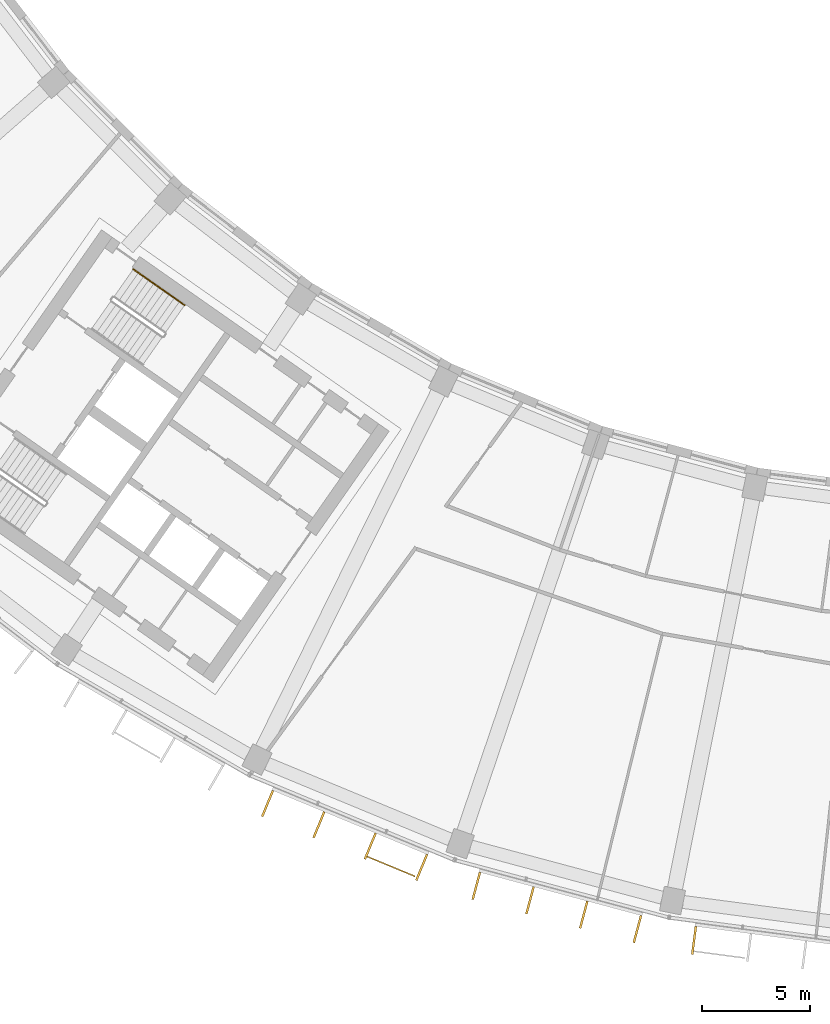
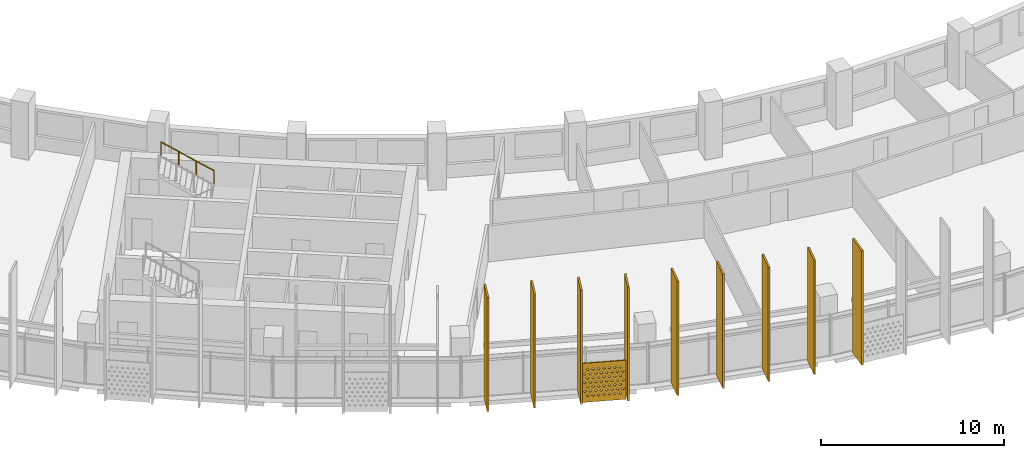
# One storey, part 24 of 28: 10 shading devices, 1 railing.
"""IFC4 building model written with IfcOpenShell, lengths in metres."""

import ifcopenshell
import ifcopenshell.guid

model = None  # the IFC model being written
_history = None  # IfcOwnerHistory: only IFC2X3 demands one
_inside = {}  # id of a spatial element -> (the spatial element, [elements in it])
_under = {}  # id of a project, library or spatial element -> (it, [spatial elements below it])
_declared = {}  # id of a project -> (the project, [libraries it declares])
_typed = {}  # id of a type object -> (the type object, [elements of that type])
_made_of = {}  # id of a material, layer set ... -> (it, [elements and type objects made of it])


def new_model(schema):
    """Start an empty IFC model of exactly this schema.

    Asked for "IFC4X3", IfcOpenShell would pick the latest addendum, in which some entities
    have other attributes; the version numbers below select the first issue.
    IFC2X3 requires an IfcOwnerHistory on every rooted entity: one is made here for all.
    """
    global model, _history
    if schema == "IFC4X3":
        model = ifcopenshell.file(schema_version=(4, 3, 0, 0))
    else:
        model = ifcopenshell.file(schema=schema)
    _inside.clear()
    _under.clear()
    _declared.clear()
    _typed.clear()
    _made_of.clear()
    _history = None
    if model.schema == "IFC2X3":
        org = make("IfcOrganization", Name="unknown")
        user = make(
            "IfcPersonAndOrganization",
            ThePerson=make("IfcPerson", FamilyName="unknown"),
            TheOrganization=org,
        )
        app = make(
            "IfcApplication",
            ApplicationDeveloper=org,
            Version="unknown",
            ApplicationFullName="unknown",
            ApplicationIdentifier="unknown",
        )
        _history = make(
            "IfcOwnerHistory",
            OwningUser=user,
            OwningApplication=app,
            ChangeAction="ADDED",
            CreationDate=0,
        )
    return model


def make(cls, **values):
    """One entity of the class cls with the attributes given. An attribute that is None is left unset."""
    return model.create_entity(
        cls, **{name: value for name, value in values.items() if value is not None}
    )


def rooted(cls, **values):
    """An entity with a GlobalId (a new one), such as an element, a storey or a relation."""
    return make(cls, GlobalId=ifcopenshell.guid.new(), OwnerHistory=_history, **values)


def si_unit(unit_type, name, prefix=None):
    """IfcSIUnit, for example si_unit("LENGTHUNIT", "METRE", prefix="MILLI")."""
    return make("IfcSIUnit", UnitType=unit_type, Prefix=prefix, Name=name)


def assignment(units):
    """IfcUnitAssignment: the units of a project."""
    return None if units is None else make("IfcUnitAssignment", Units=units)


def point(xyz):
    """IfcCartesianPoint."""
    return None if xyz is None else make("IfcCartesianPoint", Coordinates=xyz)


def direction(xyz):
    """IfcDirection."""
    return None if xyz is None else make("IfcDirection", DirectionRatios=xyz)


def frame(location, z_axis=None, x_axis=None):
    """IfcAxis2Placement3D, a coordinate frame: its origin and axes. An axis left out is left unset."""
    return make(
        "IfcAxis2Placement3D",
        Location=point(location),
        Axis=direction(z_axis),
        RefDirection=direction(x_axis),
    )


def frame_2d(location, x_axis=None):
    """IfcAxis2Placement2D, a coordinate frame in the plane: its origin and x axis."""
    return make(
        "IfcAxis2Placement2D", Location=point(location), RefDirection=direction(x_axis)
    )


def origin():
    """The frame at (0, 0, 0) with its axes left unset."""
    return frame((0.0, 0.0, 0.0))


def origin_2d():
    """The frame at (0, 0) in the plane with its x axis left unset."""
    return frame_2d((0.0, 0.0))


def place(relative_to, where):
    """IfcLocalPlacement: puts the frame where relative to a parent placement (None: the world)."""
    return make(
        "IfcLocalPlacement", PlacementRelTo=relative_to, RelativePlacement=where
    )


def context(
    kind, dimensions, precision=None, world=None, true_north=None, identifier=None
):
    """IfcGeometricRepresentationContext, for example the 3D "Model" context."""
    return make(
        "IfcGeometricRepresentationContext",
        ContextIdentifier=identifier,
        ContextType=kind,
        CoordinateSpaceDimension=dimensions,
        Precision=precision,
        WorldCoordinateSystem=world,
        TrueNorth=true_north,
    )


def subcontext(parent, identifier, kind, view, scale=None):
    """IfcGeometricRepresentationSubContext, for example "Body" below "Model"."""
    return make(
        "IfcGeometricRepresentationSubContext",
        ContextIdentifier=identifier,
        ContextType=kind,
        ParentContext=parent,
        TargetScale=scale,
        TargetView=view,
    )


def project(units=None, contexts=None):
    """IfcProject with its units and contexts."""
    return rooted(
        "IfcProject",
        Name="project",
        RepresentationContexts=contexts,
        UnitsInContext=assignment(units),
    )


def spatial(cls, under=None, at=None, **own):
    """A site, building, storey or space (cls), placed at a placement, below another one or the project."""
    s = rooted(cls, ObjectPlacement=at, **own)
    if under is not None:
        _under.setdefault(under.id(), (under, []))[1].append(s)
    return s


def polyline(points):
    """IfcPolyline through the points."""
    return make("IfcPolyline", Points=[point(p) for p in points])


def profile(cls, at=None, kind="AREA", **sizes):
    """A parametric profile (cls). Its sizes go by their IFC names, for example OverallWidth=200.0."""
    return make(cls, ProfileType=kind, Position=at, **sizes)


def rectangle(**sizes):
    """IfcRectangleProfileDef."""
    return profile("IfcRectangleProfileDef", **sizes)


def circle(**sizes):
    """IfcCircleProfileDef."""
    return profile("IfcCircleProfileDef", **sizes)


def outline(outer, holes=None, kind="AREA"):
    """IfcArbitraryClosedProfileDef: a profile drawn as a closed curve; with holes, ...WithVoids."""
    if holes is None:
        return make("IfcArbitraryClosedProfileDef", ProfileType=kind, OuterCurve=outer)
    return make(
        "IfcArbitraryProfileDefWithVoids",
        ProfileType=kind,
        OuterCurve=outer,
        InnerCurves=holes,
    )


def extrude(swept, where, along, depth):
    """IfcExtrudedAreaSolid: the profile swept, set in the frame where, extruded along a direction by depth."""
    return make(
        "IfcExtrudedAreaSolid",
        SweptArea=swept,
        Position=where,
        ExtrudedDirection=direction(along),
        Depth=depth,
    )


def shape(context_of_items, identifier, shape_type, items):
    """IfcShapeRepresentation: the items that make up one representation, for example the "Body"."""
    return make(
        "IfcShapeRepresentation",
        ContextOfItems=context_of_items,
        RepresentationIdentifier=identifier,
        RepresentationType=shape_type,
        Items=items,
    )


def material(Name=None, Category=None):
    """IfcMaterial."""
    return make("IfcMaterial", Name=Name, Category=Category)


def material_profile(
    of_material, cross_section, Name=None, Category=None, Priority=None
):
    """IfcMaterialProfile: a cross section and its material."""
    return make(
        "IfcMaterialProfile",
        Name=Name,
        Material=of_material,
        Profile=cross_section,
        Priority=Priority,
        Category=Category,
    )


def profile_set(profiles, Name=None, composite=None):
    """IfcMaterialProfileSet."""
    return make(
        "IfcMaterialProfileSet",
        Name=Name,
        MaterialProfiles=profiles,
        CompositeProfile=composite,
    )


def made_of(thing, what):
    """Note that an element or type object is made of a material, layer set ...; save() writes the relation."""
    if what is not None:
        _made_of.setdefault(what.id(), (what, []))[1].append(thing)
    return thing


def type_object(cls, material=None, **own):
    """A type object (cls), such as IfcWallType, which elements share."""
    return made_of(rooted(cls, **own), material)


def element(
    cls,
    number,
    at=None,
    inside=None,
    cuts=None,
    type_object=None,
    material=None,
    context=None,
    identifier="Body",
    shape_type=None,
    held_by="IfcProductDefinitionShape",
    body=None,
    shapes=None,
    **own,
):
    """One element of the class cls, such as IfcWall. Its Tag is "e" and its number.

    at: its placement. inside: the storey or other place that contains it. cuts: it is an
    opening in that element (IfcRelVoidsElement). A single representation is given by context,
    identifier, shape_type and body (its items); several are given by shapes. held_by: the class
    of the entity that holds the representations. save() writes the other relations.
    """
    e = rooted(cls, Tag="e%d" % number, ObjectPlacement=at, **own)
    if body is not None:
        shapes = [shape(context, identifier, shape_type, body)]
    if shapes is not None:
        e.Representation = make(held_by, Representations=shapes)
    if inside is not None:
        _inside.setdefault(inside.id(), (inside, []))[1].append(e)
    if cuts is not None:
        rooted(
            "IfcRelVoidsElement", RelatingBuildingElement=cuts, RelatedOpeningElement=e
        )
    if type_object is not None:
        _typed.setdefault(type_object.id(), (type_object, []))[1].append(e)
    return made_of(e, material)


def aggregate(whole, parts):
    """IfcRelAggregates: a whole, such as a stair, and the parts it consists of."""
    return rooted("IfcRelAggregates", RelatingObject=whole, RelatedObjects=parts)


def save(model, path):
    """Write the relations noted so far, then the file.

    IfcRelAggregates (storeys below a building ...), IfcRelContainedInSpatialStructure (elements
    in a storey), IfcRelDefinesByType, IfcRelAssociatesMaterial and IfcRelDeclares: one each for
    every whole, place, type object, material and project.
    """
    for whole, parts in _under.values():
        aggregate(whole, parts)
    for where, things in _inside.values():
        rooted(
            "IfcRelContainedInSpatialStructure",
            RelatedElements=things,
            RelatingStructure=where,
        )
    for kind, things in _typed.values():
        rooted("IfcRelDefinesByType", RelatedObjects=things, RelatingType=kind)
    for what, things in _made_of.values():
        rooted("IfcRelAssociatesMaterial", RelatedObjects=things, RelatingMaterial=what)
    for by, libraries in _declared.values():
        rooted("IfcRelDeclares", RelatingContext=by, RelatedDefinitions=libraries)
    model.write(path)


model = new_model("IFC4")

# Units and contexts
model_context = context("Model", 3, precision=1e-05, world=origin(), true_north=direction((0.0, 1.0)))
body_context = subcontext(model_context, "Body", "Model", "MODEL_VIEW")
ifc_project = project(units=[si_unit("LENGTHUNIT", "METRE"), si_unit("AREAUNIT", "SQUARE_METRE"), si_unit("VOLUMEUNIT", "CUBIC_METRE"), si_unit("PLANEANGLEUNIT", "RADIAN"), si_unit("MASSUNIT", "GRAM", prefix="KILO")], contexts=[model_context])

# Site, building, storey
site_placement = place(None, origin())
site = spatial("IfcSite", under=ifc_project, at=site_placement, CompositionType="ELEMENT")
building_placement = place(site_placement, origin())
building = spatial("IfcBuilding", under=site, at=building_placement, Name="Qamariyya Broadcast Tower", CompositionType="ELEMENT")
storey_placement = place(building_placement, frame((0.0, 0.0, 241.699951171875)))
storey = spatial("IfcBuildingStorey", under=building, at=storey_placement, Name="L58", CompositionType="ELEMENT", Elevation=241.699951171875)

# Shading device
ifc_material_1 = material(Name="Perforated glazed terracotta", Category="masonry")
ifc_material_profile_1 = material_profile(ifc_material_1, outline(polyline([(-1.199951171875, -1.300048828125), (1.199951171875, -1.300048828125), (1.199951171875, 1.300048828125), (-1.199951171875, 1.300048828125), (-1.199951171875, -1.300048828125)]), holes=[polyline([(-0.81494140625, -0.86669921875), (-0.89990234375, -0.78173828125), (-0.985107421875, -0.86669921875), (-0.89990234375, -0.95166015625), (-0.81494140625, -0.86669921875)]), polyline([(-0.514892578125, -0.86669921875), (-0.60009765625, -0.78173828125), (-0.68505859375, -0.86669921875), (-0.60009765625, -0.95166015625), (-0.514892578125, -0.86669921875)]), polyline([(-0.215087890625, -0.86669921875), (-0.300048828125, -0.78173828125), (-0.385009765625, -0.86669921875), (-0.300048828125, -0.95166015625), (-0.215087890625, -0.86669921875)]), polyline([(0.0849609375, -0.86669921875), (0.0, -0.78173828125), (-0.0849609375, -0.86669921875), (0.0, -0.95166015625), (0.0849609375, -0.86669921875)]), polyline([(0.385009765625, -0.86669921875), (0.300048828125, -0.78173828125), (0.215087890625, -0.86669921875), (0.300048828125, -0.95166015625), (0.385009765625, -0.86669921875)]), polyline([(0.68505859375, -0.86669921875), (0.60009765625, -0.78173828125), (0.514892578125, -0.86669921875), (0.60009765625, -0.95166015625), (0.68505859375, -0.86669921875)]), polyline([(0.985107421875, -0.86669921875), (0.89990234375, -0.78173828125), (0.81494140625, -0.86669921875), (0.89990234375, -0.95166015625), (0.985107421875, -0.86669921875)]), polyline([(-0.965087890625, -0.577880859375), (-1.050048828125, -0.49267578125), (-1.135009765625, -0.577880859375), (-1.050048828125, -0.662841796875), (-0.965087890625, -0.577880859375)]), polyline([(-0.6650390625, -0.577880859375), (-0.75, -0.49267578125), (-0.8349609375, -0.577880859375), (-0.75, -0.662841796875), (-0.6650390625, -0.577880859375)]), polyline([(-0.364990234375, -0.577880859375), (-0.449951171875, -0.49267578125), (-0.534912109375, -0.577880859375), (-0.449951171875, -0.662841796875), (-0.364990234375, -0.577880859375)]), polyline([(-0.06494140625, -0.577880859375), (-0.14990234375, -0.49267578125), (-0.235107421875, -0.577880859375), (-0.14990234375, -0.662841796875), (-0.06494140625, -0.577880859375)]), polyline([(0.235107421875, -0.577880859375), (0.14990234375, -0.49267578125), (0.06494140625, -0.577880859375), (0.14990234375, -0.662841796875), (0.235107421875, -0.577880859375)]), polyline([(0.534912109375, -0.577880859375), (0.449951171875, -0.49267578125), (0.364990234375, -0.577880859375), (0.449951171875, -0.662841796875), (0.534912109375, -0.577880859375)]), polyline([(0.8349609375, -0.577880859375), (0.75, -0.49267578125), (0.6650390625, -0.577880859375), (0.75, -0.662841796875), (0.8349609375, -0.577880859375)]), polyline([(1.135009765625, -0.577880859375), (1.050048828125, -0.49267578125), (0.965087890625, -0.577880859375), (1.050048828125, -0.662841796875), (1.135009765625, -0.577880859375)]), polyline([(-0.81494140625, -0.288818359375), (-0.89990234375, -0.203857421875), (-0.985107421875, -0.288818359375), (-0.89990234375, -0.373779296875), (-0.81494140625, -0.288818359375)]), polyline([(-0.514892578125, -0.288818359375), (-0.60009765625, -0.203857421875), (-0.68505859375, -0.288818359375), (-0.60009765625, -0.373779296875), (-0.514892578125, -0.288818359375)]), polyline([(-0.215087890625, -0.288818359375), (-0.300048828125, -0.203857421875), (-0.385009765625, -0.288818359375), (-0.300048828125, -0.373779296875), (-0.215087890625, -0.288818359375)]), polyline([(0.0849609375, -0.288818359375), (0.0, -0.203857421875), (-0.0849609375, -0.288818359375), (0.0, -0.373779296875), (0.0849609375, -0.288818359375)]), polyline([(0.385009765625, -0.288818359375), (0.300048828125, -0.203857421875), (0.215087890625, -0.288818359375), (0.300048828125, -0.373779296875), (0.385009765625, -0.288818359375)]), polyline([(0.68505859375, -0.288818359375), (0.60009765625, -0.203857421875), (0.514892578125, -0.288818359375), (0.60009765625, -0.373779296875), (0.68505859375, -0.288818359375)]), polyline([(0.985107421875, -0.288818359375), (0.89990234375, -0.203857421875), (0.81494140625, -0.288818359375), (0.89990234375, -0.373779296875), (0.985107421875, -0.288818359375)]), polyline([(-0.965087890625, 0.0), (-1.050048828125, 0.0849609375), (-1.135009765625, 0.0), (-1.050048828125, -0.0849609375), (-0.965087890625, 0.0)]), polyline([(-0.6650390625, 0.0), (-0.75, 0.0849609375), (-0.8349609375, 0.0), (-0.75, -0.0849609375), (-0.6650390625, 0.0)]), polyline([(-0.364990234375, 0.0), (-0.449951171875, 0.0849609375), (-0.534912109375, 0.0), (-0.449951171875, -0.0849609375), (-0.364990234375, 0.0)]), polyline([(-0.06494140625, 0.0), (-0.14990234375, 0.0849609375), (-0.235107421875, 0.0), (-0.14990234375, -0.0849609375), (-0.06494140625, 0.0)]), polyline([(0.235107421875, 0.0), (0.14990234375, 0.0849609375), (0.06494140625, 0.0), (0.14990234375, -0.0849609375), (0.235107421875, 0.0)]), polyline([(0.534912109375, 0.0), (0.449951171875, 0.0849609375), (0.364990234375, 0.0), (0.449951171875, -0.0849609375), (0.534912109375, 0.0)]), polyline([(0.8349609375, 0.0), (0.75, 0.0849609375), (0.6650390625, 0.0), (0.75, -0.0849609375), (0.8349609375, 0.0)]), polyline([(1.135009765625, 0.0), (1.050048828125, 0.0849609375), (0.965087890625, 0.0), (1.050048828125, -0.0849609375), (1.135009765625, 0.0)]), polyline([(-0.81494140625, 0.288818359375), (-0.89990234375, 0.373779296875), (-0.985107421875, 0.288818359375), (-0.89990234375, 0.203857421875), (-0.81494140625, 0.288818359375)]), polyline([(-0.514892578125, 0.288818359375), (-0.60009765625, 0.373779296875), (-0.68505859375, 0.288818359375), (-0.60009765625, 0.203857421875), (-0.514892578125, 0.288818359375)]), polyline([(-0.215087890625, 0.288818359375), (-0.300048828125, 0.373779296875), (-0.385009765625, 0.288818359375), (-0.300048828125, 0.203857421875), (-0.215087890625, 0.288818359375)]), polyline([(0.0849609375, 0.288818359375), (0.0, 0.373779296875), (-0.0849609375, 0.288818359375), (0.0, 0.203857421875), (0.0849609375, 0.288818359375)]), polyline([(0.385009765625, 0.288818359375), (0.300048828125, 0.373779296875), (0.215087890625, 0.288818359375), (0.300048828125, 0.203857421875), (0.385009765625, 0.288818359375)]), polyline([(0.68505859375, 0.288818359375), (0.60009765625, 0.373779296875), (0.514892578125, 0.288818359375), (0.60009765625, 0.203857421875), (0.68505859375, 0.288818359375)]), polyline([(0.985107421875, 0.288818359375), (0.89990234375, 0.373779296875), (0.81494140625, 0.288818359375), (0.89990234375, 0.203857421875), (0.985107421875, 0.288818359375)]), polyline([(-0.965087890625, 0.577880859375), (-1.050048828125, 0.662841796875), (-1.135009765625, 0.577880859375), (-1.050048828125, 0.49267578125), (-0.965087890625, 0.577880859375)]), polyline([(-0.6650390625, 0.577880859375), (-0.75, 0.662841796875), (-0.8349609375, 0.577880859375), (-0.75, 0.49267578125), (-0.6650390625, 0.577880859375)]), polyline([(-0.364990234375, 0.577880859375), (-0.449951171875, 0.662841796875), (-0.534912109375, 0.577880859375), (-0.449951171875, 0.49267578125), (-0.364990234375, 0.577880859375)]), polyline([(-0.06494140625, 0.577880859375), (-0.14990234375, 0.662841796875), (-0.235107421875, 0.577880859375), (-0.14990234375, 0.49267578125), (-0.06494140625, 0.577880859375)]), polyline([(0.235107421875, 0.577880859375), (0.14990234375, 0.662841796875), (0.06494140625, 0.577880859375), (0.14990234375, 0.49267578125), (0.235107421875, 0.577880859375)]), polyline([(0.534912109375, 0.577880859375), (0.449951171875, 0.662841796875), (0.364990234375, 0.577880859375), (0.449951171875, 0.49267578125), (0.534912109375, 0.577880859375)]), polyline([(0.8349609375, 0.577880859375), (0.75, 0.662841796875), (0.6650390625, 0.577880859375), (0.75, 0.49267578125), (0.8349609375, 0.577880859375)]), polyline([(1.135009765625, 0.577880859375), (1.050048828125, 0.662841796875), (0.965087890625, 0.577880859375), (1.050048828125, 0.49267578125), (1.135009765625, 0.577880859375)]), polyline([(-0.81494140625, 0.86669921875), (-0.89990234375, 0.95166015625), (-0.985107421875, 0.86669921875), (-0.89990234375, 0.78173828125), (-0.81494140625, 0.86669921875)]), polyline([(-0.514892578125, 0.86669921875), (-0.60009765625, 0.95166015625), (-0.68505859375, 0.86669921875), (-0.60009765625, 0.78173828125), (-0.514892578125, 0.86669921875)]), polyline([(-0.215087890625, 0.86669921875), (-0.300048828125, 0.95166015625), (-0.385009765625, 0.86669921875), (-0.300048828125, 0.78173828125), (-0.215087890625, 0.86669921875)]), polyline([(0.0849609375, 0.86669921875), (0.0, 0.95166015625), (-0.0849609375, 0.86669921875), (0.0, 0.78173828125), (0.0849609375, 0.86669921875)]), polyline([(0.385009765625, 0.86669921875), (0.300048828125, 0.95166015625), (0.215087890625, 0.86669921875), (0.300048828125, 0.78173828125), (0.385009765625, 0.86669921875)]), polyline([(0.68505859375, 0.86669921875), (0.60009765625, 0.95166015625), (0.514892578125, 0.86669921875), (0.60009765625, 0.78173828125), (0.68505859375, 0.86669921875)]), polyline([(0.985107421875, 0.86669921875), (0.89990234375, 0.95166015625), (0.81494140625, 0.86669921875), (0.89990234375, 0.78173828125), (0.985107421875, 0.86669921875)])]))
ifc_profile_set_1 = profile_set([ifc_material_profile_1], Name="Perforated glazed terracotta")
shading_device_type_1 = type_object("IfcShadingDeviceType", Name="Perforated terracotta screen 2400 x 2600", PredefinedType="USERDEFINED", material=ifc_profile_set_1)
shading_device_placement = place(storey_placement, frame((-28.1767578125, -74.6513671875, 1.35009765625), z_axis=(-0.382591441855, -0.923917630863, 0.0), x_axis=(0.923917630863, -0.382591441855, 0.0)))
element("IfcShadingDevice", 1, at=shading_device_placement, inside=storey, type_object=shading_device_type_1, Name="e-scr-L58-05-2", ObjectType="SCREEN", PredefinedType="USERDEFINED", context=body_context, shape_type="SweptSolid", body=[
    extrude(outline(polyline([(-1.199951171875, -1.300048828125), (1.199951171875, -1.300048828125), (1.199951171875, 1.300048828125), (-1.199951171875, 1.300048828125), (-1.199951171875, -1.300048828125)]), holes=[polyline([(-0.81494140625, -0.86669921875), (-0.89990234375, -0.78173828125), (-0.985107421875, -0.86669921875), (-0.89990234375, -0.95166015625), (-0.81494140625, -0.86669921875)]), polyline([(-0.514892578125, -0.86669921875), (-0.60009765625, -0.78173828125), (-0.68505859375, -0.86669921875), (-0.60009765625, -0.95166015625), (-0.514892578125, -0.86669921875)]), polyline([(-0.215087890625, -0.86669921875), (-0.300048828125, -0.78173828125), (-0.385009765625, -0.86669921875), (-0.300048828125, -0.95166015625), (-0.215087890625, -0.86669921875)]), polyline([(0.0849609375, -0.86669921875), (0.0, -0.78173828125), (-0.0849609375, -0.86669921875), (0.0, -0.95166015625), (0.0849609375, -0.86669921875)]), polyline([(0.385009765625, -0.86669921875), (0.300048828125, -0.78173828125), (0.215087890625, -0.86669921875), (0.300048828125, -0.95166015625), (0.385009765625, -0.86669921875)]), polyline([(0.68505859375, -0.86669921875), (0.60009765625, -0.78173828125), (0.514892578125, -0.86669921875), (0.60009765625, -0.95166015625), (0.68505859375, -0.86669921875)]), polyline([(0.985107421875, -0.86669921875), (0.89990234375, -0.78173828125), (0.81494140625, -0.86669921875), (0.89990234375, -0.95166015625), (0.985107421875, -0.86669921875)]), polyline([(-0.965087890625, -0.577880859375), (-1.050048828125, -0.49267578125), (-1.135009765625, -0.577880859375), (-1.050048828125, -0.662841796875), (-0.965087890625, -0.577880859375)]), polyline([(-0.6650390625, -0.577880859375), (-0.75, -0.49267578125), (-0.8349609375, -0.577880859375), (-0.75, -0.662841796875), (-0.6650390625, -0.577880859375)]), polyline([(-0.364990234375, -0.577880859375), (-0.449951171875, -0.49267578125), (-0.534912109375, -0.577880859375), (-0.449951171875, -0.662841796875), (-0.364990234375, -0.577880859375)]), polyline([(-0.06494140625, -0.577880859375), (-0.14990234375, -0.49267578125), (-0.235107421875, -0.577880859375), (-0.14990234375, -0.662841796875), (-0.06494140625, -0.577880859375)]), polyline([(0.235107421875, -0.577880859375), (0.14990234375, -0.49267578125), (0.06494140625, -0.577880859375), (0.14990234375, -0.662841796875), (0.235107421875, -0.577880859375)]), polyline([(0.534912109375, -0.577880859375), (0.449951171875, -0.49267578125), (0.364990234375, -0.577880859375), (0.449951171875, -0.662841796875), (0.534912109375, -0.577880859375)]), polyline([(0.8349609375, -0.577880859375), (0.75, -0.49267578125), (0.6650390625, -0.577880859375), (0.75, -0.662841796875), (0.8349609375, -0.577880859375)]), polyline([(1.135009765625, -0.577880859375), (1.050048828125, -0.49267578125), (0.965087890625, -0.577880859375), (1.050048828125, -0.662841796875), (1.135009765625, -0.577880859375)]), polyline([(-0.81494140625, -0.288818359375), (-0.89990234375, -0.203857421875), (-0.985107421875, -0.288818359375), (-0.89990234375, -0.373779296875), (-0.81494140625, -0.288818359375)]), polyline([(-0.514892578125, -0.288818359375), (-0.60009765625, -0.203857421875), (-0.68505859375, -0.288818359375), (-0.60009765625, -0.373779296875), (-0.514892578125, -0.288818359375)]), polyline([(-0.215087890625, -0.288818359375), (-0.300048828125, -0.203857421875), (-0.385009765625, -0.288818359375), (-0.300048828125, -0.373779296875), (-0.215087890625, -0.288818359375)]), polyline([(0.0849609375, -0.288818359375), (0.0, -0.203857421875), (-0.0849609375, -0.288818359375), (0.0, -0.373779296875), (0.0849609375, -0.288818359375)]), polyline([(0.385009765625, -0.288818359375), (0.300048828125, -0.203857421875), (0.215087890625, -0.288818359375), (0.300048828125, -0.373779296875), (0.385009765625, -0.288818359375)]), polyline([(0.68505859375, -0.288818359375), (0.60009765625, -0.203857421875), (0.514892578125, -0.288818359375), (0.60009765625, -0.373779296875), (0.68505859375, -0.288818359375)]), polyline([(0.985107421875, -0.288818359375), (0.89990234375, -0.203857421875), (0.81494140625, -0.288818359375), (0.89990234375, -0.373779296875), (0.985107421875, -0.288818359375)]), polyline([(-0.965087890625, 0.0), (-1.050048828125, 0.0849609375), (-1.135009765625, 0.0), (-1.050048828125, -0.0849609375), (-0.965087890625, 0.0)]), polyline([(-0.6650390625, 0.0), (-0.75, 0.0849609375), (-0.8349609375, 0.0), (-0.75, -0.0849609375), (-0.6650390625, 0.0)]), polyline([(-0.364990234375, 0.0), (-0.449951171875, 0.0849609375), (-0.534912109375, 0.0), (-0.449951171875, -0.0849609375), (-0.364990234375, 0.0)]), polyline([(-0.06494140625, 0.0), (-0.14990234375, 0.0849609375), (-0.235107421875, 0.0), (-0.14990234375, -0.0849609375), (-0.06494140625, 0.0)]), polyline([(0.235107421875, 0.0), (0.14990234375, 0.0849609375), (0.06494140625, 0.0), (0.14990234375, -0.0849609375), (0.235107421875, 0.0)]), polyline([(0.534912109375, 0.0), (0.449951171875, 0.0849609375), (0.364990234375, 0.0), (0.449951171875, -0.0849609375), (0.534912109375, 0.0)]), polyline([(0.8349609375, 0.0), (0.75, 0.0849609375), (0.6650390625, 0.0), (0.75, -0.0849609375), (0.8349609375, 0.0)]), polyline([(1.135009765625, 0.0), (1.050048828125, 0.0849609375), (0.965087890625, 0.0), (1.050048828125, -0.0849609375), (1.135009765625, 0.0)]), polyline([(-0.81494140625, 0.288818359375), (-0.89990234375, 0.373779296875), (-0.985107421875, 0.288818359375), (-0.89990234375, 0.203857421875), (-0.81494140625, 0.288818359375)]), polyline([(-0.514892578125, 0.288818359375), (-0.60009765625, 0.373779296875), (-0.68505859375, 0.288818359375), (-0.60009765625, 0.203857421875), (-0.514892578125, 0.288818359375)]), polyline([(-0.215087890625, 0.288818359375), (-0.300048828125, 0.373779296875), (-0.385009765625, 0.288818359375), (-0.300048828125, 0.203857421875), (-0.215087890625, 0.288818359375)]), polyline([(0.0849609375, 0.288818359375), (0.0, 0.373779296875), (-0.0849609375, 0.288818359375), (0.0, 0.203857421875), (0.0849609375, 0.288818359375)]), polyline([(0.385009765625, 0.288818359375), (0.300048828125, 0.373779296875), (0.215087890625, 0.288818359375), (0.300048828125, 0.203857421875), (0.385009765625, 0.288818359375)]), polyline([(0.68505859375, 0.288818359375), (0.60009765625, 0.373779296875), (0.514892578125, 0.288818359375), (0.60009765625, 0.203857421875), (0.68505859375, 0.288818359375)]), polyline([(0.985107421875, 0.288818359375), (0.89990234375, 0.373779296875), (0.81494140625, 0.288818359375), (0.89990234375, 0.203857421875), (0.985107421875, 0.288818359375)]), polyline([(-0.965087890625, 0.577880859375), (-1.050048828125, 0.662841796875), (-1.135009765625, 0.577880859375), (-1.050048828125, 0.49267578125), (-0.965087890625, 0.577880859375)]), polyline([(-0.6650390625, 0.577880859375), (-0.75, 0.662841796875), (-0.8349609375, 0.577880859375), (-0.75, 0.49267578125), (-0.6650390625, 0.577880859375)]), polyline([(-0.364990234375, 0.577880859375), (-0.449951171875, 0.662841796875), (-0.534912109375, 0.577880859375), (-0.449951171875, 0.49267578125), (-0.364990234375, 0.577880859375)]), polyline([(-0.06494140625, 0.577880859375), (-0.14990234375, 0.662841796875), (-0.235107421875, 0.577880859375), (-0.14990234375, 0.49267578125), (-0.06494140625, 0.577880859375)]), polyline([(0.235107421875, 0.577880859375), (0.14990234375, 0.662841796875), (0.06494140625, 0.577880859375), (0.14990234375, 0.49267578125), (0.235107421875, 0.577880859375)]), polyline([(0.534912109375, 0.577880859375), (0.449951171875, 0.662841796875), (0.364990234375, 0.577880859375), (0.449951171875, 0.49267578125), (0.534912109375, 0.577880859375)]), polyline([(0.8349609375, 0.577880859375), (0.75, 0.662841796875), (0.6650390625, 0.577880859375), (0.75, 0.49267578125), (0.8349609375, 0.577880859375)]), polyline([(1.135009765625, 0.577880859375), (1.050048828125, 0.662841796875), (0.965087890625, 0.577880859375), (1.050048828125, 0.49267578125), (1.135009765625, 0.577880859375)]), polyline([(-0.81494140625, 0.86669921875), (-0.89990234375, 0.95166015625), (-0.985107421875, 0.86669921875), (-0.89990234375, 0.78173828125), (-0.81494140625, 0.86669921875)]), polyline([(-0.514892578125, 0.86669921875), (-0.60009765625, 0.95166015625), (-0.68505859375, 0.86669921875), (-0.60009765625, 0.78173828125), (-0.514892578125, 0.86669921875)]), polyline([(-0.215087890625, 0.86669921875), (-0.300048828125, 0.95166015625), (-0.385009765625, 0.86669921875), (-0.300048828125, 0.78173828125), (-0.215087890625, 0.86669921875)]), polyline([(0.0849609375, 0.86669921875), (0.0, 0.95166015625), (-0.0849609375, 0.86669921875), (0.0, 0.78173828125), (0.0849609375, 0.86669921875)]), polyline([(0.385009765625, 0.86669921875), (0.300048828125, 0.95166015625), (0.215087890625, 0.86669921875), (0.300048828125, 0.78173828125), (0.385009765625, 0.86669921875)]), polyline([(0.68505859375, 0.86669921875), (0.60009765625, 0.95166015625), (0.514892578125, 0.86669921875), (0.60009765625, 0.78173828125), (0.68505859375, 0.86669921875)]), polyline([(0.985107421875, 0.86669921875), (0.89990234375, 0.95166015625), (0.81494140625, 0.86669921875), (0.89990234375, 0.78173828125), (0.985107421875, 0.86669921875)])]), origin(), (0.0, 0.0, 1.0), 0.06005859375),
])

# Railing
ifc_material_2 = material(Name="Stainless steel", Category="steel")
railing_type = type_object("IfcRailingType", Name="Stair handrail", PredefinedType="HANDRAIL", material=ifc_material_2)
railing_placement = place(storey_placement, frame((-37.73876953125, -48.7138671875, 2.07275390625)))
element("IfcRailing", 2, at=railing_placement, inside=storey, type_object=railing_type, Name="L58 ST-W2 stair handrail 2", PredefinedType="HANDRAIL", context=body_context, shape_type="SweptSolid", body=[
    extrude(circle(Radius=0.02392578125, at=origin_2d()), frame((0.0, 0.0, 0.8759765625), z_axis=(-0.703745009021, 0.492838488332, 0.511715923826), x_axis=(-0.573631830683, -0.819113253969, 0.0)), (0.0, 0.0, 1.0), 3.37548828125),
    extrude(circle(Radius=0.02099609375, at=origin_2d()), origin(), (0.0, 0.0, 1.0), 0.851806640625),
    extrude(circle(Radius=0.02099609375, at=origin_2d()), frame((-0.791748046875, 0.554443359375, 0.57568359375)), (0.0, 0.0, 1.0), 0.851806640625),
    extrude(circle(Radius=0.02099609375, at=origin_2d()), frame((-1.583740234375, 1.109130859375, 1.151611328125)), (0.0, 0.0, 1.0), 0.851806640625),
    extrude(circle(Radius=0.02099609375, at=origin_2d()), frame((-2.37548828125, 1.66357421875, 1.727294921875)), (0.0, 0.0, 1.0), 0.851806640625),
])

# Shading devices
ifc_material_3 = material(Name="Glazed terracotta", Category="masonry")
ifc_material_profile_2 = material_profile(ifc_material_3, rectangle(XDim=1.300048828125, YDim=0.10009765625, at=origin_2d()))
ifc_profile_set_2 = profile_set([ifc_material_profile_2], Name="Glazed terracotta")
shading_device_type_2 = type_object("IfcShadingDeviceType", Name="Terracotta fin 100 x 1300", PredefinedType="USERDEFINED", material=ifc_profile_set_2)
for number, where, z_axis, x_axis, name in (
    (3, (-33.904052734375, -71.770263671875, 0.0), (0.0, 0.0, 1.0), (-0.382683432365, -0.923879532511, 0.0), "e-fin-L58-05-0"),
    (4, (-31.52783203125, -72.754638671875, 0.0), (0.0, 0.0, 1.0), (-0.382683432365, -0.923879532511, 0.0), "e-fin-L58-05-1"),
    (5, (-29.151611328125, -73.73876953125, 0.0), (0.0, 0.0, 1.0), (-0.382683432365, -0.923879532511, 0.0), "e-fin-L58-05-2"),
    (6, (-26.775390625, -74.72314453125, 0.0), (0.0, 0.0, 1.0), (-0.382683432365, -0.923879532511, 0.0), "e-fin-L58-05-3"),
    (7, (-24.24609375, -75.58154296875, 0.0), (0.0, 0.0, 1.0), (-0.258819045103, -0.965925826289, 0.0), "e-fin-L58-06-0"),
    (8, (-21.76171875, -76.247314453125, 0.0), (0.0, 0.0, 1.0), (-0.258819045103, -0.965925826289, 0.0), "e-fin-L58-06-1"),
    (9, (-19.27734375, -76.9130859375, 0.0), (0.0, 0.0, 1.0), (-0.258819045103, -0.965925826289, 0.0), "e-fin-L58-06-2"),
    (10, (-16.79296875, -77.57861328125, 0.0), (0.0, 0.0, 1.0), (-0.258819045103, -0.965925826289, 0.0), "e-fin-L58-06-3"),
    (11, (-14.17333984375, -78.099853515625, 0.0), (0.0, 0.0, 1.0), (-0.13052619222, -0.991444861374, 0.0), "e-fin-L58-07-0"),
):
    element("IfcShadingDevice", number, at=place(storey_placement, frame(where, z_axis=z_axis, x_axis=x_axis)), inside=storey, type_object=shading_device_type_2, Name=name, ObjectType="FIN", PredefinedType="USERDEFINED", context=body_context, shape_type="SweptSolid", body=[
        extrude(rectangle(XDim=1.300048828125, YDim=0.10009765625, at=origin_2d()), origin(), (0.0, 0.0, 1.0), 7.60009765625),
    ])

save(model, "model.ifc")
